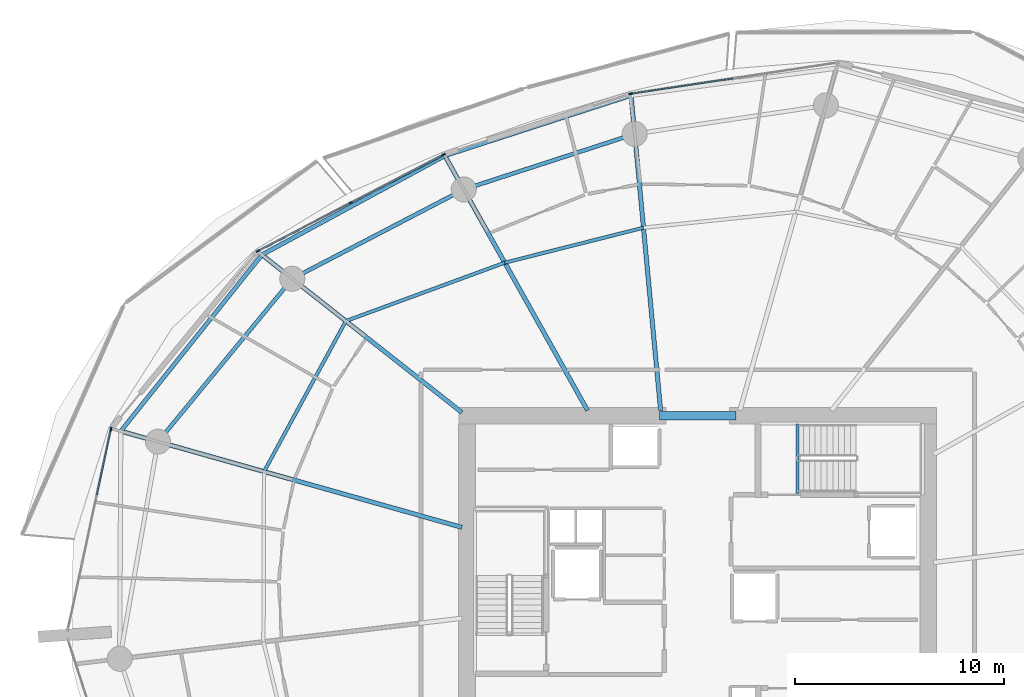
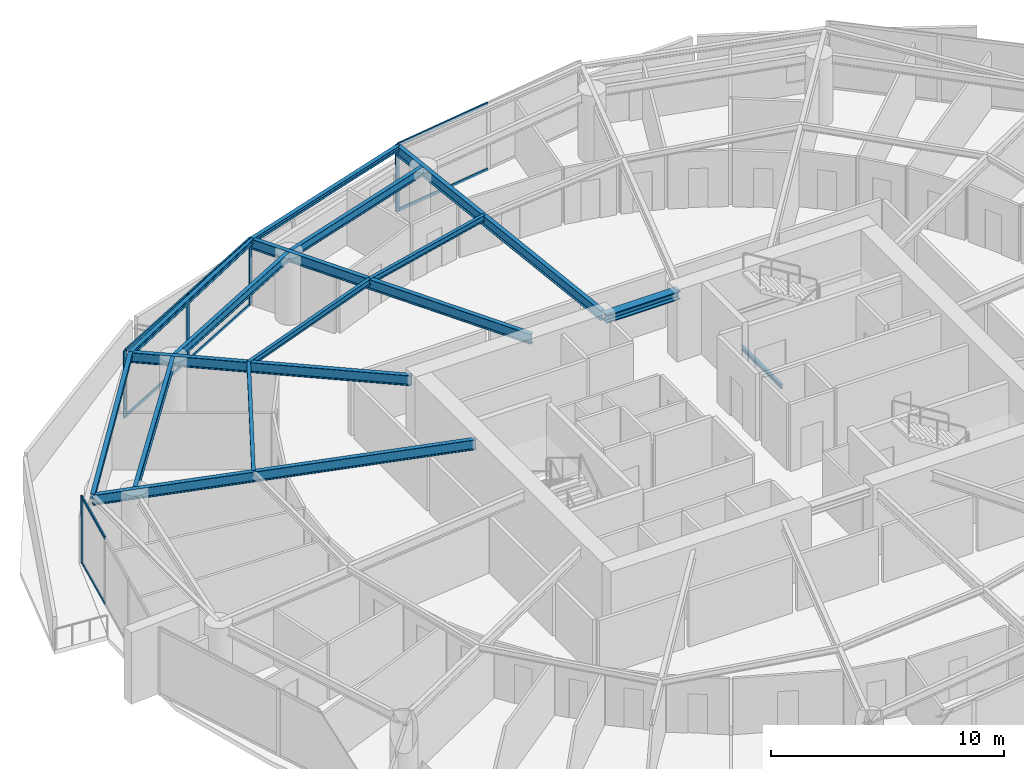
# One storey, part 8 of 23: 15 beams, 13 members, 3 elements without a shape of their own.
"""IFC4 building model written with IfcOpenShell, lengths in metres."""

import ifcopenshell
import ifcopenshell.guid

model = None  # the IFC model being written
_history = None  # IfcOwnerHistory: only IFC2X3 demands one
_inside = {}  # id of a spatial element -> (the spatial element, [elements in it])
_under = {}  # id of a project, library or spatial element -> (it, [spatial elements below it])
_declared = {}  # id of a project -> (the project, [libraries it declares])
_typed = {}  # id of a type object -> (the type object, [elements of that type])
_made_of = {}  # id of a material, layer set ... -> (it, [elements and type objects made of it])


def new_model(schema):
    """Start an empty IFC model of exactly this schema.

    Asked for "IFC4X3", IfcOpenShell would pick the latest addendum, in which some entities
    have other attributes; the version numbers below select the first issue.
    IFC2X3 requires an IfcOwnerHistory on every rooted entity: one is made here for all.
    """
    global model, _history
    if schema == "IFC4X3":
        model = ifcopenshell.file(schema_version=(4, 3, 0, 0))
    else:
        model = ifcopenshell.file(schema=schema)
    _inside.clear()
    _under.clear()
    _declared.clear()
    _typed.clear()
    _made_of.clear()
    _history = None
    if model.schema == "IFC2X3":
        org = make("IfcOrganization", Name="unknown")
        user = make(
            "IfcPersonAndOrganization",
            ThePerson=make("IfcPerson", FamilyName="unknown"),
            TheOrganization=org,
        )
        app = make(
            "IfcApplication",
            ApplicationDeveloper=org,
            Version="unknown",
            ApplicationFullName="unknown",
            ApplicationIdentifier="unknown",
        )
        _history = make(
            "IfcOwnerHistory",
            OwningUser=user,
            OwningApplication=app,
            ChangeAction="ADDED",
            CreationDate=0,
        )
    return model


def make(cls, **values):
    """One entity of the class cls with the attributes given. An attribute that is None is left unset."""
    return model.create_entity(
        cls, **{name: value for name, value in values.items() if value is not None}
    )


def rooted(cls, **values):
    """An entity with a GlobalId (a new one), such as an element, a storey or a relation."""
    return make(cls, GlobalId=ifcopenshell.guid.new(), OwnerHistory=_history, **values)


def si_unit(unit_type, name, prefix=None):
    """IfcSIUnit, for example si_unit("LENGTHUNIT", "METRE", prefix="MILLI")."""
    return make("IfcSIUnit", UnitType=unit_type, Prefix=prefix, Name=name)


def assignment(units):
    """IfcUnitAssignment: the units of a project."""
    return None if units is None else make("IfcUnitAssignment", Units=units)


def point(xyz):
    """IfcCartesianPoint."""
    return None if xyz is None else make("IfcCartesianPoint", Coordinates=xyz)


def direction(xyz):
    """IfcDirection."""
    return None if xyz is None else make("IfcDirection", DirectionRatios=xyz)


def frame(location, z_axis=None, x_axis=None):
    """IfcAxis2Placement3D, a coordinate frame: its origin and axes. An axis left out is left unset."""
    return make(
        "IfcAxis2Placement3D",
        Location=point(location),
        Axis=direction(z_axis),
        RefDirection=direction(x_axis),
    )


def frame_2d(location, x_axis=None):
    """IfcAxis2Placement2D, a coordinate frame in the plane: its origin and x axis."""
    return make(
        "IfcAxis2Placement2D", Location=point(location), RefDirection=direction(x_axis)
    )


def origin():
    """The frame at (0, 0, 0) with its axes left unset."""
    return frame((0.0, 0.0, 0.0))


def origin_2d():
    """The frame at (0, 0) in the plane with its x axis left unset."""
    return frame_2d((0.0, 0.0))


def place(relative_to, where):
    """IfcLocalPlacement: puts the frame where relative to a parent placement (None: the world)."""
    return make(
        "IfcLocalPlacement", PlacementRelTo=relative_to, RelativePlacement=where
    )


def context(
    kind, dimensions, precision=None, world=None, true_north=None, identifier=None
):
    """IfcGeometricRepresentationContext, for example the 3D "Model" context."""
    return make(
        "IfcGeometricRepresentationContext",
        ContextIdentifier=identifier,
        ContextType=kind,
        CoordinateSpaceDimension=dimensions,
        Precision=precision,
        WorldCoordinateSystem=world,
        TrueNorth=true_north,
    )


def subcontext(parent, identifier, kind, view, scale=None):
    """IfcGeometricRepresentationSubContext, for example "Body" below "Model"."""
    return make(
        "IfcGeometricRepresentationSubContext",
        ContextIdentifier=identifier,
        ContextType=kind,
        ParentContext=parent,
        TargetScale=scale,
        TargetView=view,
    )


def project(units=None, contexts=None):
    """IfcProject with its units and contexts."""
    return rooted(
        "IfcProject",
        Name="project",
        RepresentationContexts=contexts,
        UnitsInContext=assignment(units),
    )


def spatial(cls, under=None, at=None, **own):
    """A site, building, storey or space (cls), placed at a placement, below another one or the project."""
    s = rooted(cls, ObjectPlacement=at, **own)
    if under is not None:
        _under.setdefault(under.id(), (under, []))[1].append(s)
    return s


def profile(cls, at=None, kind="AREA", **sizes):
    """A parametric profile (cls). Its sizes go by their IFC names, for example OverallWidth=200.0."""
    return make(cls, ProfileType=kind, Position=at, **sizes)


def rectangle(**sizes):
    """IfcRectangleProfileDef."""
    return profile("IfcRectangleProfileDef", **sizes)


def i_section(**sizes):
    """IfcIShapeProfileDef."""
    return profile("IfcIShapeProfileDef", **sizes)


def extrude(swept, where, along, depth):
    """IfcExtrudedAreaSolid: the profile swept, set in the frame where, extruded along a direction by depth."""
    return make(
        "IfcExtrudedAreaSolid",
        SweptArea=swept,
        Position=where,
        ExtrudedDirection=direction(along),
        Depth=depth,
    )


def shape(context_of_items, identifier, shape_type, items):
    """IfcShapeRepresentation: the items that make up one representation, for example the "Body"."""
    return make(
        "IfcShapeRepresentation",
        ContextOfItems=context_of_items,
        RepresentationIdentifier=identifier,
        RepresentationType=shape_type,
        Items=items,
    )


def material(Name=None, Category=None):
    """IfcMaterial."""
    return make("IfcMaterial", Name=Name, Category=Category)


def layer(
    of_material, thickness, ventilated=None, Name=None, Category=None, Priority=None
):
    """IfcMaterialLayer: one layer of a wall or slab, of a material (None: an air gap)."""
    return make(
        "IfcMaterialLayer",
        Material=of_material,
        LayerThickness=thickness,
        IsVentilated=ventilated,
        Name=Name,
        Category=Category,
        Priority=Priority,
    )


def layer_set(layers, Name=None):
    """IfcMaterialLayerSet."""
    return make("IfcMaterialLayerSet", MaterialLayers=layers, LayerSetName=Name)


def material_profile(
    of_material, cross_section, Name=None, Category=None, Priority=None
):
    """IfcMaterialProfile: a cross section and its material."""
    return make(
        "IfcMaterialProfile",
        Name=Name,
        Material=of_material,
        Profile=cross_section,
        Priority=Priority,
        Category=Category,
    )


def profile_set(profiles, Name=None, composite=None):
    """IfcMaterialProfileSet."""
    return make(
        "IfcMaterialProfileSet",
        Name=Name,
        MaterialProfiles=profiles,
        CompositeProfile=composite,
    )


def made_of(thing, what):
    """Note that an element or type object is made of a material, layer set ...; save() writes the relation."""
    if what is not None:
        _made_of.setdefault(what.id(), (what, []))[1].append(thing)
    return thing


def type_object(cls, material=None, **own):
    """A type object (cls), such as IfcWallType, which elements share."""
    return made_of(rooted(cls, **own), material)


def element(
    cls,
    number,
    at=None,
    inside=None,
    cuts=None,
    type_object=None,
    material=None,
    context=None,
    identifier="Body",
    shape_type=None,
    held_by="IfcProductDefinitionShape",
    body=None,
    shapes=None,
    **own,
):
    """One element of the class cls, such as IfcWall. Its Tag is "e" and its number.

    at: its placement. inside: the storey or other place that contains it. cuts: it is an
    opening in that element (IfcRelVoidsElement). A single representation is given by context,
    identifier, shape_type and body (its items); several are given by shapes. held_by: the class
    of the entity that holds the representations. save() writes the other relations.
    """
    e = rooted(cls, Tag="e%d" % number, ObjectPlacement=at, **own)
    if body is not None:
        shapes = [shape(context, identifier, shape_type, body)]
    if shapes is not None:
        e.Representation = make(held_by, Representations=shapes)
    if inside is not None:
        _inside.setdefault(inside.id(), (inside, []))[1].append(e)
    if cuts is not None:
        rooted(
            "IfcRelVoidsElement", RelatingBuildingElement=cuts, RelatedOpeningElement=e
        )
    if type_object is not None:
        _typed.setdefault(type_object.id(), (type_object, []))[1].append(e)
    return made_of(e, material)


def aggregate(whole, parts):
    """IfcRelAggregates: a whole, such as a stair, and the parts it consists of."""
    return rooted("IfcRelAggregates", RelatingObject=whole, RelatedObjects=parts)


def save(model, path):
    """Write the relations noted so far, then the file.

    IfcRelAggregates (storeys below a building ...), IfcRelContainedInSpatialStructure (elements
    in a storey), IfcRelDefinesByType, IfcRelAssociatesMaterial and IfcRelDeclares: one each for
    every whole, place, type object, material and project.
    """
    for whole, parts in _under.values():
        aggregate(whole, parts)
    for where, things in _inside.values():
        rooted(
            "IfcRelContainedInSpatialStructure",
            RelatedElements=things,
            RelatingStructure=where,
        )
    for kind, things in _typed.values():
        rooted("IfcRelDefinesByType", RelatedObjects=things, RelatingType=kind)
    for what, things in _made_of.values():
        rooted("IfcRelAssociatesMaterial", RelatedObjects=things, RelatingMaterial=what)
    for by, libraries in _declared.values():
        rooted("IfcRelDeclares", RelatingContext=by, RelatedDefinitions=libraries)
    model.write(path)


model = new_model("IFC4")

# Units and contexts
model_context = context("Model", 3, precision=1e-05, world=origin(), true_north=direction((0.0, 1.0)))
body_context = subcontext(model_context, "Body", "Model", "MODEL_VIEW")
ifc_project = project(units=[si_unit("LENGTHUNIT", "METRE"), si_unit("AREAUNIT", "SQUARE_METRE"), si_unit("VOLUMEUNIT", "CUBIC_METRE"), si_unit("PLANEANGLEUNIT", "RADIAN"), si_unit("MASSUNIT", "GRAM", prefix="KILO")], contexts=[model_context])

# Site, building, storey
site_placement = place(None, origin())
site = spatial("IfcSite", under=ifc_project, at=site_placement, CompositionType="ELEMENT")
building_placement = place(site_placement, origin())
building = spatial("IfcBuilding", under=site, at=building_placement, Name="Kazma Halo Residences", CompositionType="ELEMENT")
storey_placement = place(building_placement, frame((0.0, 0.0, 105.14990234375)))
storey = spatial("IfcBuildingStorey", under=building, at=storey_placement, Name="L26", CompositionType="ELEMENT", Elevation=105.14990234375)

# Beams
ifc_material_1 = material(Name="Steel S355", Category="steel")
ifc_material_profile_1 = material_profile(ifc_material_1, i_section(OverallWidth=0.201904296875, OverallDepth=0.2470703125, WebThickness=0.00732421875, FlangeThickness=0.010986328125, FilletRadius=0.011962890625, at=origin_2d()), Name="W250x49.1")
ifc_profile_set_1 = profile_set([ifc_material_profile_1], Name="Steel S355")
beam_type_1 = type_object("IfcBeamType", Name="BM-BAL-CANT", PredefinedType="BEAM", material=ifc_profile_set_1)
beam_1_placement = place(storey_placement, frame((45.239013671875, 65.7109375, 3.376708984375), z_axis=(-0.951364037255, -0.308068934846, 0.0), x_axis=(0.308068934846, -0.951364037255, 0.0)))
element("IfcBeam", 1, at=beam_1_placement, inside=storey, type_object=beam_type_1, Name="L26 wave-balcony tie beam 04", PredefinedType="BEAM", context=body_context, shape_type="SweptSolid", body=[
    extrude(i_section(OverallWidth=0.201904296875, OverallDepth=0.2470703125, WebThickness=0.00732421875, FlangeThickness=0.010986328125, FilletRadius=0.011962890625, at=origin_2d()), origin(), (0.0, 0.0, 1.0), 9.3583984375),
])
beam_2_placement = place(storey_placement, frame((36.335693359375, 62.827880859375, 3.376708984375), z_axis=(-0.87930438671, -0.476260218276, 0.0), x_axis=(0.476260218276, -0.87930438671, 0.0)))
element("IfcBeam", 2, at=beam_2_placement, inside=storey, type_object=beam_type_1, Name="L26 wave-balcony tie beam 05", PredefinedType="BEAM", context=body_context, shape_type="SweptSolid", body=[
    extrude(i_section(OverallWidth=0.201904296875, OverallDepth=0.2470703125, WebThickness=0.00732421875, FlangeThickness=0.010986328125, FilletRadius=0.011962890625, at=origin_2d()), origin(), (0.0, 0.0, 1.0), 9.94677734375),
])
beam_3_placement = place(storey_placement, frame((27.58935546875, 58.090576171875, 3.376708984375), z_axis=(-0.62477775999, -0.78080263231, 0.0), x_axis=(0.78080263231, -0.62477775999, 0.0)))
element("IfcBeam", 3, at=beam_3_placement, inside=storey, type_object=beam_type_1, Name="L26 wave-balcony tie beam 06", PredefinedType="BEAM", context=body_context, shape_type="SweptSolid", body=[
    extrude(i_section(OverallWidth=0.201904296875, OverallDepth=0.2470703125, WebThickness=0.00732421875, FlangeThickness=0.010986328125, FilletRadius=0.011962890625, at=origin_2d()), origin(), (0.0, 0.0, 1.0), 10.79833984375),
])
ifc_material_profile_2 = material_profile(ifc_material_1, i_section(OverallWidth=0.408935546875, OverallDepth=0.425048828125, WebThickness=0.03271484375, FlangeThickness=0.052490234375, FilletRadius=0.02001953125, at=origin_2d()), Name="W360x421")
ifc_profile_set_2 = profile_set([ifc_material_profile_2], Name="Steel S355")
beam_type_2 = type_object("IfcBeamType", Name="BM-CORE-W360H", PredefinedType="BEAM", material=ifc_profile_set_2)
beam_4_placement = place(storey_placement, frame((46.60009765625, 50.39990234375, 3.28759765625), z_axis=(1.0, 0.0, 0.0), x_axis=(0.0, 1.0, 0.0)))
element("IfcBeam", 4, at=beam_4_placement, inside=storey, type_object=beam_type_2, Name="L26 core coupling beam N", PredefinedType="BEAM", context=body_context, shape_type="SweptSolid", body=[
    extrude(i_section(OverallWidth=0.408935546875, OverallDepth=0.425048828125, WebThickness=0.03271484375, FlangeThickness=0.052490234375, FilletRadius=0.02001953125, at=origin_2d()), origin(), (0.0, 0.0, 1.0), 3.64990234375),
])
ifc_material_profile_3 = material_profile(ifc_material_1, i_section(OverallWidth=0.208984375, OverallDepth=0.532958984375, WebThickness=0.01025390625, FlangeThickness=0.015625, FilletRadius=0.01611328125, at=origin_2d()), Name="W530x92")
ifc_profile_set_3 = profile_set([ifc_material_profile_3], Name="Steel S355")
beam_type_3 = type_object("IfcBeamType", Name="BM-RAD-W530", PredefinedType="BEAM", material=ifc_profile_set_3)
beam_5_placement = place(storey_placement, frame((46.64990234375, 50.64990234375, 3.233642578125), z_axis=(-0.093269713752, 0.995640879282, 0.0), x_axis=(-0.995640879282, -0.093269713752, 0.0)))
element("IfcBeam", 5, at=beam_5_placement, inside=storey, type_object=beam_type_3, Name="L26 radial floor beam 04", PredefinedType="BEAM", context=body_context, shape_type="SweptSolid", body=[
    extrude(i_section(OverallWidth=0.208984375, OverallDepth=0.532958984375, WebThickness=0.01025390625, FlangeThickness=0.015625, FilletRadius=0.01611328125, at=origin_2d()), origin(), (0.0, 0.0, 1.0), 15.126953125),
])
beam_6_placement = place(storey_placement, frame((43.15576171875, 50.64990234375, 3.233642578125), z_axis=(-0.488625206529, 0.872493786536, 0.0), x_axis=(-0.872493786536, -0.488625206529, 0.0)))
element("IfcBeam", 6, at=beam_6_placement, inside=storey, type_object=beam_type_3, Name="L26 radial floor beam 05", PredefinedType="BEAM", context=body_context, shape_type="SweptSolid", body=[
    extrude(i_section(OverallWidth=0.208984375, OverallDepth=0.532958984375, WebThickness=0.01025390625, FlangeThickness=0.015625, FilletRadius=0.01611328125, at=origin_2d()), origin(), (0.0, 0.0, 1.0), 13.957763671875),
])
beam_7_placement = place(storey_placement, frame((37.14990234375, 50.553466796875, 3.233642578125), z_axis=(-0.785309664997, 0.619103165929, 0.0), x_axis=(-0.619103165929, -0.785309664997, 0.0)))
element("IfcBeam", 7, at=beam_7_placement, inside=storey, type_object=beam_type_3, Name="L26 radial floor beam 06", PredefinedType="BEAM", context=body_context, shape_type="SweptSolid", body=[
    extrude(i_section(OverallWidth=0.208984375, OverallDepth=0.532958984375, WebThickness=0.01025390625, FlangeThickness=0.015625, FilletRadius=0.01611328125, at=origin_2d()), origin(), (0.0, 0.0, 1.0), 12.17431640625),
])
beam_8_placement = place(storey_placement, frame((37.14990234375, 45.06005859375, 3.233642578125), z_axis=(-0.962454695383, 0.271442368351, 0.0), x_axis=(-0.271442368351, -0.962454695383, 0.0)))
element("IfcBeam", 8, at=beam_8_placement, inside=storey, type_object=beam_type_3, Name="L26 radial floor beam 07", PredefinedType="BEAM", context=body_context, shape_type="SweptSolid", body=[
    extrude(i_section(OverallWidth=0.208984375, OverallDepth=0.532958984375, WebThickness=0.01025390625, FlangeThickness=0.015625, FilletRadius=0.01611328125, at=origin_2d()), origin(), (0.0, 0.0, 1.0), 16.943359375),
])
ifc_material_profile_4 = material_profile(ifc_material_1, i_section(OverallWidth=0.1650390625, OverallDepth=0.31005859375, WebThickness=0.005859375, FlangeThickness=0.009765625, FilletRadius=0.011962890625, at=origin_2d()), Name="W310x38.7")
ifc_profile_set_4 = profile_set([ifc_material_profile_4], Name="Steel S355")
beam_type_4 = type_object("IfcBeamType", Name="BM-SEC-W310B", PredefinedType="JOIST", material=ifc_profile_set_4)
beam_9_placement = place(storey_placement, frame((45.83154296875, 59.385498046875, 3.34521484375), z_axis=(-0.969640662449, -0.244534221993, 0.0), x_axis=(0.244534221993, -0.969640662449, 0.0)))
element("IfcBeam", 9, at=beam_9_placement, inside=storey, type_object=beam_type_4, Name="L26 circumferential floor joist 04", PredefinedType="JOIST", context=body_context, shape_type="SweptSolid", body=[
    extrude(i_section(OverallWidth=0.1650390625, OverallDepth=0.31005859375, WebThickness=0.005859375, FlangeThickness=0.009765625, FilletRadius=0.011962890625, at=origin_2d()), origin(), (0.0, 0.0, 1.0), 6.8388671875),
])
beam_10_placement = place(storey_placement, frame((39.2001953125, 57.713134765625, 3.34521484375), z_axis=(-0.93875304644, -0.344590652513, 0.0), x_axis=(0.344590652513, -0.93875304644, 0.0)))
element("IfcBeam", 10, at=beam_10_placement, inside=storey, type_object=beam_type_4, Name="L26 circumferential floor joist 05", PredefinedType="JOIST", context=body_context, shape_type="SweptSolid", body=[
    extrude(i_section(OverallWidth=0.1650390625, OverallDepth=0.31005859375, WebThickness=0.005859375, FlangeThickness=0.009765625, FilletRadius=0.011962890625, at=origin_2d()), origin(), (0.0, 0.0, 1.0), 8.091064453125),
])
beam_11_placement = place(storey_placement, frame((31.604736328125, 54.925048828125, 3.34521484375), z_axis=(-0.477621844446, -0.878565520441, 0.0), x_axis=(0.878565520441, -0.477621844446, 0.0)))
element("IfcBeam", 11, at=beam_11_placement, inside=storey, type_object=beam_type_4, Name="L26 circumferential floor joist 06", PredefinedType="JOIST", context=body_context, shape_type="SweptSolid", body=[
    extrude(i_section(OverallWidth=0.1650390625, OverallDepth=0.31005859375, WebThickness=0.005859375, FlangeThickness=0.009765625, FilletRadius=0.011962890625, at=origin_2d()), origin(), (0.0, 0.0, 1.0), 8.1923828125),
])
ifc_material_profile_5 = material_profile(ifc_material_1, i_section(OverallWidth=0.18994140625, OverallDepth=0.45703125, WebThickness=0.009033203125, FlangeThickness=0.014404296875, FilletRadius=0.01611328125, at=origin_2d()), Name="W460x74")
ifc_profile_set_5 = profile_set([ifc_material_profile_5], Name="Steel S355")
beam_type_5 = type_object("IfcBeamType", Name="BM-SPN-W460", PredefinedType="BEAM", material=ifc_profile_set_5)
beam_12_placement = place(storey_placement, frame((45.41162109375, 63.869140625, 3.271484375), z_axis=(-0.951054111927, -0.30902439416, 0.0), x_axis=(0.30902439416, -0.951054111927, 0.0)))
element("IfcBeam", 12, at=beam_12_placement, inside=storey, type_object=beam_type_5, Name="L26 perimeter ring beam 04", PredefinedType="BEAM", context=body_context, shape_type="SweptSolid", body=[
    extrude(i_section(OverallWidth=0.18994140625, OverallDepth=0.45703125, WebThickness=0.009033203125, FlangeThickness=0.014404296875, FilletRadius=0.01611328125, at=origin_2d()), origin(), (0.0, 0.0, 1.0), 8.592529296875),
])
beam_13_placement = place(storey_placement, frame((37.23974609375, 61.2138671875, 3.271484375), z_axis=(-0.886963229644, -0.461840047266, 0.0), x_axis=(0.461840047266, -0.886963229644, 0.0)))
element("IfcBeam", 13, at=beam_13_placement, inside=storey, type_object=beam_type_5, Name="L26 perimeter ring beam 05", PredefinedType="BEAM", context=body_context, shape_type="SweptSolid", body=[
    extrude(i_section(OverallWidth=0.18994140625, OverallDepth=0.45703125, WebThickness=0.009033203125, FlangeThickness=0.014404296875, FilletRadius=0.01611328125, at=origin_2d()), origin(), (0.0, 0.0, 1.0), 9.242431640625),
])
beam_14_placement = place(storey_placement, frame((29.0419921875, 56.9453125, 3.271484375), z_axis=(-0.635989564566, -0.771697656963, 0.0), x_axis=(0.771697656963, -0.635989564566, 0.0)))
element("IfcBeam", 14, at=beam_14_placement, inside=storey, type_object=beam_type_5, Name="L26 perimeter ring beam 06", PredefinedType="BEAM", context=body_context, shape_type="SweptSolid", body=[
    extrude(i_section(OverallWidth=0.18994140625, OverallDepth=0.45703125, WebThickness=0.009033203125, FlangeThickness=0.014404296875, FilletRadius=0.01611328125, at=origin_2d()), origin(), (0.0, 0.0, 1.0), 10.092529296875),
])
ifc_material_profile_6 = material_profile(ifc_material_1, i_section(OverallWidth=0.133056640625, OverallDepth=0.20703125, WebThickness=0.005859375, FlangeThickness=0.00830078125, FilletRadius=0.010009765625, at=origin_2d()), Name="W200x26.6")
ifc_profile_set_6 = profile_set([ifc_material_profile_6], Name="Steel S355")
beam_type_6 = type_object("IfcBeamType", Name="BM-TRIM-W200", PredefinedType="BEAM", material=ifc_profile_set_6)
beam_15_placement = place(storey_placement, frame((53.199951171875, 46.6201171875, -0.35986328125), z_axis=(0.0, 1.0, 0.0), x_axis=(-1.0, 0.0, 0.0)))
element("IfcBeam", 15, at=beam_15_placement, inside=storey, type_object=beam_type_6, Name="L26 ST-02 floor landing support beam", PredefinedType="BEAM", context=body_context, shape_type="SweptSolid", body=[
    extrude(i_section(OverallWidth=0.133056640625, OverallDepth=0.20703125, WebThickness=0.005859375, FlangeThickness=0.00830078125, FilletRadius=0.010009765625, at=origin_2d()), origin(), (0.0, 0.0, 1.0), 3.3798828125),
])

# Curtain wall, member
ifc_material_2 = material(Name="Aluminium AW-6063 T6 and Triple-Silver Low-E Glass", Category="aluminium")
ifc_layer = layer(ifc_material_2, 0.199951171875)
ifc_layer_set = layer_set([ifc_layer], Name="Aluminium AW-6063 T6 and Triple-Silver Low-E Glass")
curtain_wall_type = type_object("IfcCurtainWallType", Name="CW-SYS-3", PredefinedType="NOTDEFINED", material=ifc_layer_set)
curtain_wall_1_placement = place(storey_placement, origin())
curtain_wall_1 = element("IfcCurtainWall", 16, at=curtain_wall_1_placement, inside=storey, type_object=curtain_wall_type, Name="L26 unitised curtain wall B03", PredefinedType="NOTDEFINED")
ifc_material_3 = material(Name="Aluminium AW-6063 T6", Category="aluminium")
ifc_material_profile_7 = material_profile(ifc_material_3, rectangle(XDim=0.070068359375, YDim=0.199951171875, at=origin_2d()), Name="CWM-70x200")
ifc_profile_set_7 = profile_set([ifc_material_profile_7], Name="Aluminium AW-6063 T6")
member_type_1 = type_object("IfcMemberType", Name="CW-SYS-3-MUL", PredefinedType="MULLION", material=ifc_profile_set_7)
member_1_placement = place(storey_placement, frame((45.219970703125, 65.78662109375, 0.0), z_axis=(0.0, 0.0, 1.0), x_axis=(0.148717330409, -0.988879747814, 0.0)))
member_1 = element("IfcMember", 17, at=member_1_placement, type_object=member_type_1, Name="CWS-3 mullion 3", PredefinedType="MULLION", context=body_context, shape_type="SweptSolid", body=[
    extrude(rectangle(XDim=0.070068359375, YDim=0.199951171875, at=origin_2d()), origin(), (0.0, 0.0, 1.0), 3.5),
])

# Curtain wall, members
curtain_wall_2_placement = place(storey_placement, origin())
curtain_wall_2 = element("IfcCurtainWall", 18, at=curtain_wall_2_placement, inside=storey, type_object=curtain_wall_type, Name="L26 unitised curtain wall B05", PredefinedType="NOTDEFINED")
member_2_placement = place(storey_placement, frame((36.267822265625, 62.8779296875, 0.0), z_axis=(0.0, 0.0, 1.0), x_axis=(0.460932159481, -0.887435374749, 0.0)))
member_2 = element("IfcMember", 19, at=member_2_placement, type_object=member_type_1, Name="CWS-3 mullion 1", PredefinedType="MULLION", context=body_context, shape_type="SweptSolid", body=[
    extrude(rectangle(XDim=0.070068359375, YDim=0.199951171875, at=origin_2d()), origin(), (0.0, 0.0, 1.0), 3.5),
])
member_3_placement = place(storey_placement, frame((31.8369140625, 60.57666015625, 0.0), z_axis=(0.0, 0.0, 1.0), x_axis=(0.460932159481, -0.887435374749, 0.0)))
member_3 = element("IfcMember", 20, at=member_3_placement, type_object=member_type_1, Name="CWS-3 mullion 2", PredefinedType="MULLION", context=body_context, shape_type="SweptSolid", body=[
    extrude(rectangle(XDim=0.070068359375, YDim=0.199951171875, at=origin_2d()), origin(), (0.0, 0.0, 1.0), 3.5),
])
member_4_placement = place(storey_placement, frame((27.40625, 58.275390625, 0.0), z_axis=(0.0, 0.0, 1.0), x_axis=(0.460932159481, -0.887435374749, 0.0)))
member_4 = element("IfcMember", 21, at=member_4_placement, type_object=member_type_1, Name="CWS-3 mullion 3", PredefinedType="MULLION", context=body_context, shape_type="SweptSolid", body=[
    extrude(rectangle(XDim=0.070068359375, YDim=0.199951171875, at=origin_2d()), origin(), (0.0, 0.0, 1.0), 3.5),
])

# Curtain wall, member
curtain_wall_3_placement = place(storey_placement, origin())
curtain_wall_3 = element("IfcCurtainWall", 22, at=curtain_wall_3_placement, inside=storey, type_object=curtain_wall_type, Name="L26 unitised curtain wall B07", PredefinedType="NOTDEFINED")
member_5_placement = place(storey_placement, frame((20.3740234375, 49.755126953125, 0.0), z_axis=(0.0, 0.0, 1.0), x_axis=(0.977774176093, -0.209660822677, 0.0)))
member_5 = element("IfcMember", 23, at=member_5_placement, type_object=member_type_1, Name="CWS-3 mullion 1", PredefinedType="MULLION", context=body_context, shape_type="SweptSolid", body=[
    extrude(rectangle(XDim=0.070068359375, YDim=0.199951171875, at=origin_2d()), origin(), (0.0, 0.0, 1.0), 3.5),
])

# Member
ifc_material_profile_8 = material_profile(ifc_material_3, rectangle(XDim=0.070068359375, YDim=0.14990234375, at=origin_2d()), Name="CWT-70x150")
ifc_profile_set_8 = profile_set([ifc_material_profile_8], Name="Aluminium AW-6063 T6")
member_type_2 = type_object("IfcMemberType", Name="CW-SYS-3-TRN", PredefinedType="USERDEFINED", material=ifc_profile_set_8)
member_6_placement = place(storey_placement, frame((50.12255859375, 66.52392578125, 0.03515625), z_axis=(-0.988884271372, -0.148687248386, 0.0), x_axis=(0.148687248386, -0.988884271372, 0.0)))
member_6 = element("IfcMember", 24, at=member_6_placement, type_object=member_type_2, Name="CWS-3 transom 2.1", ObjectType="TRANSOM", PredefinedType="USERDEFINED", context=body_context, shape_type="SweptSolid", body=[
    extrude(rectangle(XDim=0.070068359375, YDim=0.14990234375, at=origin_2d()), origin(), (0.0, 0.0, 1.0), 4.922607421875),
])

member_7_placement = place(storey_placement, frame((50.12255859375, 66.52392578125, 3.465087890625), z_axis=(-0.988884271372, -0.148687248386, 0.0), x_axis=(0.148687248386, -0.988884271372, 0.0)))
member_7 = element("IfcMember", 25, at=member_7_placement, type_object=member_type_2, Name="CWS-3 transom 2.2", ObjectType="TRANSOM", PredefinedType="USERDEFINED", context=body_context, shape_type="SweptSolid", body=[
    extrude(rectangle(XDim=0.070068359375, YDim=0.14990234375, at=origin_2d()), origin(), (0.0, 0.0, 1.0), 4.922607421875),
])

aggregate(curtain_wall_1, [member_1, member_6, member_7])

member_8_placement = place(storey_placement, frame((36.236572265625, 62.86181640625, 0.03515625), z_axis=(-0.887427024944, -0.460948235054, 0.0), x_axis=(0.460948235054, -0.887427024944, 0.0)))
member_8 = element("IfcMember", 26, at=member_8_placement, type_object=member_type_2, Name="CWS-3 transom 1.1", ObjectType="TRANSOM", PredefinedType="USERDEFINED", context=body_context, shape_type="SweptSolid", body=[
    extrude(rectangle(XDim=0.070068359375, YDim=0.14990234375, at=origin_2d()), origin(), (0.0, 0.0, 1.0), 4.922607421875),
])

member_9_placement = place(storey_placement, frame((36.236572265625, 62.86181640625, 3.465087890625), z_axis=(-0.887427024944, -0.460948235054, 0.0), x_axis=(0.460948235054, -0.887427024944, 0.0)))
member_9 = element("IfcMember", 27, at=member_9_placement, type_object=member_type_2, Name="CWS-3 transom 1.2", ObjectType="TRANSOM", PredefinedType="USERDEFINED", context=body_context, shape_type="SweptSolid", body=[
    extrude(rectangle(XDim=0.070068359375, YDim=0.14990234375, at=origin_2d()), origin(), (0.0, 0.0, 1.0), 4.922607421875),
])

member_10_placement = place(storey_placement, frame((31.805908203125, 60.560546875, 0.03515625), z_axis=(-0.887437562141, -0.460927948058, 0.0), x_axis=(0.460927948058, -0.887437562141, 0.0)))
member_10 = element("IfcMember", 28, at=member_10_placement, type_object=member_type_2, Name="CWS-3 transom 2.1", ObjectType="TRANSOM", PredefinedType="USERDEFINED", context=body_context, shape_type="SweptSolid", body=[
    extrude(rectangle(XDim=0.070068359375, YDim=0.14990234375, at=origin_2d()), origin(), (0.0, 0.0, 1.0), 4.9228515625),
])

member_11_placement = place(storey_placement, frame((31.805908203125, 60.560546875, 3.465087890625), z_axis=(-0.887437562141, -0.460927948058, 0.0), x_axis=(0.460927948058, -0.887437562141, 0.0)))
member_11 = element("IfcMember", 29, at=member_11_placement, type_object=member_type_2, Name="CWS-3 transom 2.2", ObjectType="TRANSOM", PredefinedType="USERDEFINED", context=body_context, shape_type="SweptSolid", body=[
    extrude(rectangle(XDim=0.070068359375, YDim=0.14990234375, at=origin_2d()), origin(), (0.0, 0.0, 1.0), 4.9228515625),
])

aggregate(curtain_wall_2, [member_2, member_3, member_4, member_8, member_9, member_10, member_11])

member_12_placement = place(storey_placement, frame((20.36669921875, 49.720947265625, 0.03515625), z_axis=(-0.209702197956, -0.977765303216, 0.0), x_axis=(0.977765303216, -0.209702197956, 0.0)))
member_12 = element("IfcMember", 30, at=member_12_placement, type_object=member_type_2, Name="CWS-3 transom 1.1", ObjectType="TRANSOM", PredefinedType="USERDEFINED", context=body_context, shape_type="SweptSolid", body=[
    extrude(rectangle(XDim=0.070068359375, YDim=0.14990234375, at=origin_2d()), origin(), (0.0, 0.0, 1.0), 3.17822265625),
])

member_13_placement = place(storey_placement, frame((20.36669921875, 49.720947265625, 3.465087890625), z_axis=(-0.209702197956, -0.977765303216, 0.0), x_axis=(0.977765303216, -0.209702197956, 0.0)))
member_13 = element("IfcMember", 31, at=member_13_placement, type_object=member_type_2, Name="CWS-3 transom 1.2", ObjectType="TRANSOM", PredefinedType="USERDEFINED", context=body_context, shape_type="SweptSolid", body=[
    extrude(rectangle(XDim=0.070068359375, YDim=0.14990234375, at=origin_2d()), origin(), (0.0, 0.0, 1.0), 3.17822265625),
])

aggregate(curtain_wall_3, [member_5, member_12, member_13])

save(model, "model.ifc")
